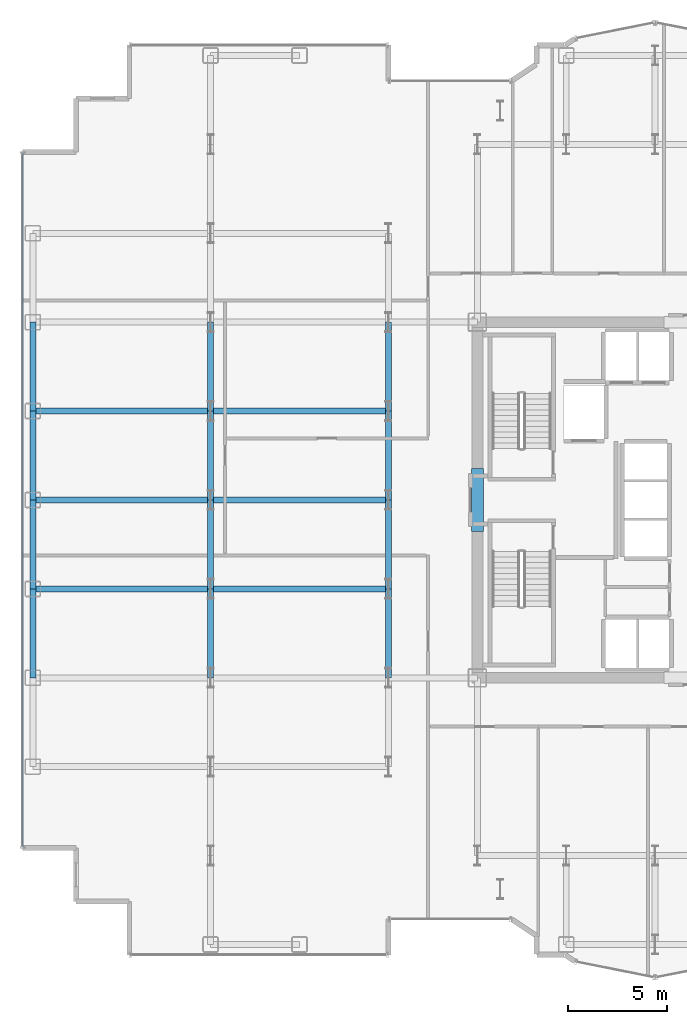
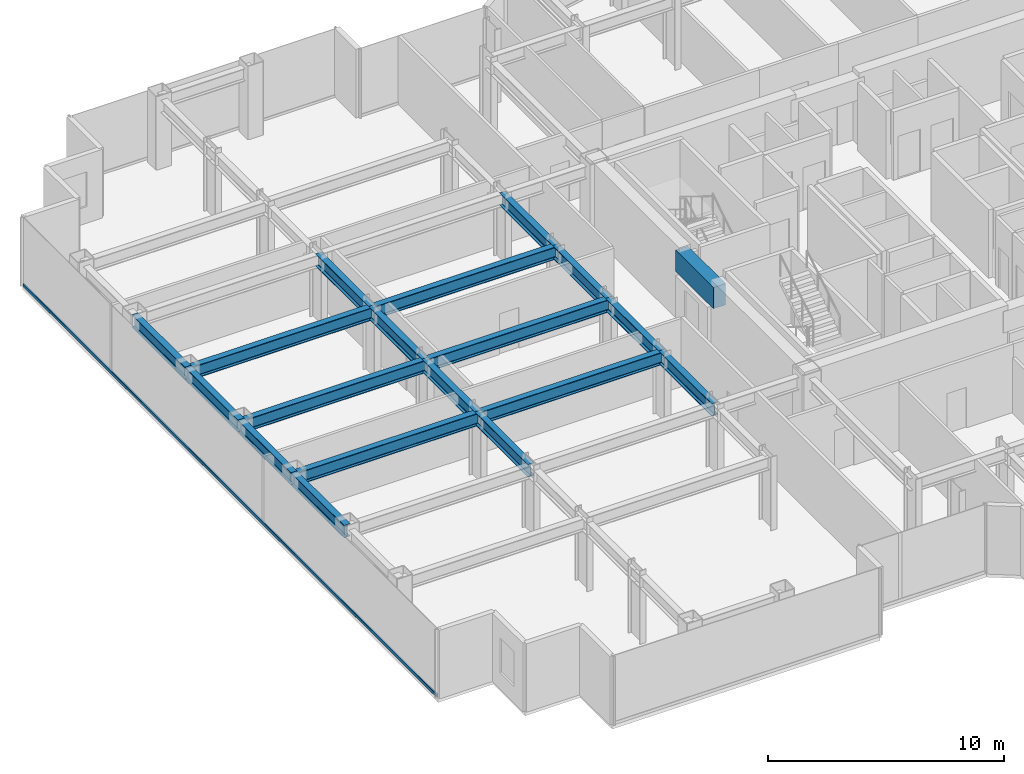
# One storey, part 5 of 25: 19 beams, 1 member, 1 element without a shape of its own.
"""IFC4 building model written with IfcOpenShell, lengths in metres."""

from ifc_helpers import new_model, si_unit, direction, frame, origin, origin_2d, place, context, subcontext, project, spatial, rectangle, hollow_rectangle, i_section, extrude, source, transform, mapped, material, layer, layer_set, material_profile, profile_set, type_object, element, aggregate, save


model = new_model("IFC4")

# Units and contexts
model_context = context("Model", 3, precision=1e-05, world=origin(), true_north=direction((0.0, 1.0)))
body_context = subcontext(model_context, "Body", "Model", "MODEL_VIEW")
ifc_project = project(units=[si_unit("LENGTHUNIT", "METRE"), si_unit("AREAUNIT", "SQUARE_METRE"), si_unit("VOLUMEUNIT", "CUBIC_METRE"), si_unit("PLANEANGLEUNIT", "RADIAN"), si_unit("MASSUNIT", "GRAM", prefix="KILO")], contexts=[model_context])

# Site, building, storey
site_placement = place(None, origin())
site = spatial("IfcSite", under=ifc_project, at=site_placement, CompositionType="ELEMENT")
building_placement = place(site_placement, origin())
building = spatial("IfcBuilding", under=site, at=building_placement, Name="Nefas-Gora Pilgrimage Tower", CompositionType="ELEMENT")
storey_placement = place(building_placement, frame((0.0, 0.0, 109.800048828125)))
storey = spatial("IfcBuildingStorey", under=building, at=storey_placement, Name="L26", CompositionType="ELEMENT", Elevation=109.800048828125)

# Beams
ifc_material_1 = material(Name="Concrete C60/75", Category="concrete")
ifc_material_profile_1 = material_profile(ifc_material_1, rectangle(XDim=0.60009765625, YDim=1.10009765625, at=origin_2d()), Name="RC 600x1100")
ifc_profile_set_1 = profile_set([ifc_material_profile_1], Name="Concrete C60/75")
beam_type_1 = type_object("IfcBeamType", Name="BM-LIN-RC1100", PredefinedType="LINTEL", material=ifc_profile_set_1)
shared_shape_1 = source(origin(), body_context, "Body", "SweptSolid", [
    extrude(rectangle(XDim=0.60009765625, YDim=1.10009765625, at=origin_2d()), origin(), (0.0, 0.0, 1.0), 3.2001953125),
])
beam_placement = place(storey_placement, frame((-11.25, -1.60009765625, 3.0), z_axis=(0.0, 1.0, 0.0), x_axis=(-1.0, 0.0, 0.0)))
element("IfcBeam", 1, at=beam_placement, inside=storey, type_object=beam_type_1, Name="L26 Core Coupling Lintel Beam W", PredefinedType="LINTEL", context=body_context, shape_type="MappedRepresentation", body=[
    mapped(shared_shape_1, transform((0.0, 0.0, 0.0), x_axis=(1.0, 0.0, 0.0), y_axis=(0.0, 1.0, 0.0), z_axis=(0.0, 0.0, 1.0), scale=1.0)),
])
ifc_material_2 = material(Name="Steel S355", Category="steel")
ifc_material_profile_2 = material_profile(ifc_material_2, i_section(OverallWidth=0.300048828125, OverallDepth=0.64990234375, WebThickness=0.01611328125, FlangeThickness=0.031005859375, FilletRadius=0.027099609375, at=origin_2d()), Name="HEB 650")
ifc_profile_set_2 = profile_set([ifc_material_profile_2], Name="Steel S355")
beam_type_2 = type_object("IfcBeamType", Name="BM-SPN-HEB500", PredefinedType="SPANDREL", material=ifc_profile_set_2)
shared_shape_2 = source(origin(), body_context, "Body", "SweptSolid", [
    extrude(i_section(OverallWidth=0.300048828125, OverallDepth=0.64990234375, WebThickness=0.01611328125, FlangeThickness=0.031005859375, FilletRadius=0.027099609375, at=origin_2d()), origin(), (0.0, 0.0, 1.0), 4.5),
])
for number, where, z_axis, x_axis, name in (
    (2, (-33.75, -9.0, 3.224853515625), (0.0, 1.0, 0.0), (-1.0, 0.0, 0.0), "L26 SP-02 beam"),
    (3, (-33.75, -4.5, 3.224853515625), (0.0, 1.0, 0.0), (-1.0, 0.0, 0.0), "L26 SP-02 beam"),
    (4, (-33.75, 0.0, 3.224853515625), (0.0, 1.0, 0.0), (-1.0, 0.0, 0.0), "L26 SP-02 beam"),
    (5, (-33.75, 4.5, 3.224853515625), (0.0, 1.0, 0.0), (-1.0, 0.0, 0.0), "L26 SP-02 beam"),
):
    element("IfcBeam", number, at=place(storey_placement, frame(where, z_axis=z_axis, x_axis=x_axis)), inside=storey, type_object=beam_type_2, Name=name, PredefinedType="SPANDREL", context=body_context, shape_type="MappedRepresentation", body=[
        mapped(shared_shape_2, transform((0.0, 0.0, 0.0), x_axis=(1.0, 0.0, 0.0), y_axis=(0.0, 1.0, 0.0), z_axis=(0.0, 0.0, 1.0), scale=1.0)),
    ])
ifc_material_profile_3 = material_profile(ifc_material_2, i_section(OverallWidth=0.300048828125, OverallDepth=0.64990234375, WebThickness=0.01611328125, FlangeThickness=0.031005859375, FilletRadius=0.027099609375, at=origin_2d()), Name="HEB 650")
ifc_profile_set_3 = profile_set([ifc_material_profile_3], Name="Steel S355")
beam_type_3 = type_object("IfcBeamType", Name="BM-GIR-HEB650", PredefinedType="BEAM", material=ifc_profile_set_3)
shared_shape_3 = source(origin(), body_context, "Body", "SweptSolid", [
    extrude(i_section(OverallWidth=0.300048828125, OverallDepth=0.64990234375, WebThickness=0.01611328125, FlangeThickness=0.031005859375, FilletRadius=0.027099609375, at=origin_2d()), origin(), (0.0, 0.0, 1.0), 9.0),
])
for number, where, z_axis, x_axis, name in (
    (6, (-33.75, -4.5, 3.224853515625), (1.0, 0.0, 0.0), (0.0, 1.0, 0.0), "L26 G-03 beam"),
    (7, (-33.75, 0.0, 3.224853515625), (1.0, 0.0, 0.0), (0.0, 1.0, 0.0), "L26 G-03 beam"),
    (8, (-33.75, 4.5, 3.224853515625), (1.0, 0.0, 0.0), (0.0, 1.0, 0.0), "L26 G-03 beam"),
    (9, (-24.75, -4.5, 3.224853515625), (1.0, 0.0, 0.0), (0.0, 1.0, 0.0), "L26 G-03 beam"),
    (10, (-24.75, 0.0, 3.224853515625), (1.0, 0.0, 0.0), (0.0, 1.0, 0.0), "L26 G-03 beam"),
    (11, (-24.75, 4.5, 3.224853515625), (1.0, 0.0, 0.0), (0.0, 1.0, 0.0), "L26 G-03 beam"),
):
    element("IfcBeam", number, at=place(storey_placement, frame(where, z_axis=z_axis, x_axis=x_axis)), inside=storey, type_object=beam_type_3, Name=name, PredefinedType="BEAM", context=body_context, shape_type="MappedRepresentation", body=[
        mapped(shared_shape_3, transform((0.0, 0.0, 0.0), x_axis=(1.0, 0.0, 0.0), y_axis=(0.0, 1.0, 0.0), z_axis=(0.0, 0.0, 1.0), scale=1.0)),
    ])
shared_shape_4 = source(origin(), body_context, "Body", "SweptSolid", [
    extrude(i_section(OverallWidth=0.300048828125, OverallDepth=0.64990234375, WebThickness=0.01611328125, FlangeThickness=0.031005859375, FilletRadius=0.027099609375, at=origin_2d()), origin(), (0.0, 0.0, 1.0), 4.5),
])
for number, where, z_axis, x_axis, name in (
    (12, (-24.75, -9.0, 3.224853515625), (0.0, 1.0, 0.0), (-1.0, 0.0, 0.0), "L26 G-03 beam"),
    (13, (-24.75, -4.5, 3.224853515625), (0.0, 1.0, 0.0), (-1.0, 0.0, 0.0), "L26 G-03 beam"),
    (14, (-24.75, 0.0, 3.224853515625), (0.0, 1.0, 0.0), (-1.0, 0.0, 0.0), "L26 G-03 beam"),
    (15, (-24.75, 4.5, 3.224853515625), (0.0, 1.0, 0.0), (-1.0, 0.0, 0.0), "L26 G-03 beam"),
    (16, (-15.75, -9.0, 3.224853515625), (0.0, 1.0, 0.0), (-1.0, 0.0, 0.0), "L26 G-03 beam"),
    (17, (-15.75, -4.5, 3.224853515625), (0.0, 1.0, 0.0), (-1.0, 0.0, 0.0), "L26 G-03 beam"),
    (18, (-15.75, 0.0, 3.224853515625), (0.0, 1.0, 0.0), (-1.0, 0.0, 0.0), "L26 G-03 beam"),
    (19, (-15.75, 4.5, 3.224853515625), (0.0, 1.0, 0.0), (-1.0, 0.0, 0.0), "L26 G-03 beam"),
):
    element("IfcBeam", number, at=place(storey_placement, frame(where, z_axis=z_axis, x_axis=x_axis)), inside=storey, type_object=beam_type_3, Name=name, PredefinedType="BEAM", context=body_context, shape_type="MappedRepresentation", body=[
        mapped(shared_shape_4, transform((0.0, 0.0, 0.0), x_axis=(1.0, 0.0, 0.0), y_axis=(0.0, 1.0, 0.0), z_axis=(0.0, 0.0, 1.0), scale=1.0)),
    ])

# Curtain wall, member
ifc_material_3 = material(Name="Dark ceramic-fritted solar-control aluminium-glass curtain wall", Category="aluminium")
ifc_layer = layer(ifc_material_3, 0.219970703125)
ifc_layer_set = layer_set([ifc_layer], Name="Dark ceramic-fritted solar-control aluminium-glass curtain wall")
curtain_wall_type = type_object("IfcCurtainWallType", Name="CW-SYS-2", PredefinedType="NOTDEFINED", material=ifc_layer_set)
curtain_wall_placement = place(storey_placement, origin())
curtain_wall = element("IfcCurtainWall", 20, at=curtain_wall_placement, inside=storey, type_object=curtain_wall_type, Name="L26 Unitised Curtain Wall CW2", PredefinedType="NOTDEFINED")
ifc_material_4 = material(Name="Anodised architectural aluminium", Category="aluminium")
ifc_material_profile_4 = material_profile(ifc_material_4, hollow_rectangle(XDim=0.080078125, YDim=0.159912109375, WallThickness=0.00439453125, InnerFilletRadius=0.00439453125, OuterFilletRadius=0.009033203125, at=origin_2d()), Name="ALU TRANSOM 80x160")
ifc_profile_set_4 = profile_set([ifc_material_profile_4], Name="Anodised architectural aluminium")
member_type = type_object("IfcMemberType", Name="CWM-TRN-2", PredefinedType="USERDEFINED", material=ifc_profile_set_4)
shared_shape_5 = source(origin(), body_context, "Body", "SweptSolid", [
    extrude(hollow_rectangle(XDim=0.080078125, YDim=0.159912109375, WallThickness=0.00439453125, InnerFilletRadius=0.00439453125, OuterFilletRadius=0.009033203125, at=origin_2d()), origin(), (0.0, 0.0, 1.0), 35.06005859375),
])
member_placement = place(storey_placement, frame((-34.27001953125, 17.530029296875, 0.050048828125), z_axis=(0.0, -1.0, 0.0), x_axis=(1.0, 0.0, 0.0)))
member = element("IfcMember", 21, at=member_placement, type_object=member_type, Name="CW2 Spandrel Transom", ObjectType="TRANSOM", PredefinedType="USERDEFINED", context=body_context, shape_type="MappedRepresentation", body=[
    mapped(shared_shape_5, transform((0.0, 0.0, 0.0), x_axis=(1.0, 0.0, 0.0), y_axis=(0.0, 1.0, 0.0), z_axis=(0.0, 0.0, 1.0), scale=1.0)),
])
aggregate(curtain_wall, [member])

save(model, "model.ifc")
